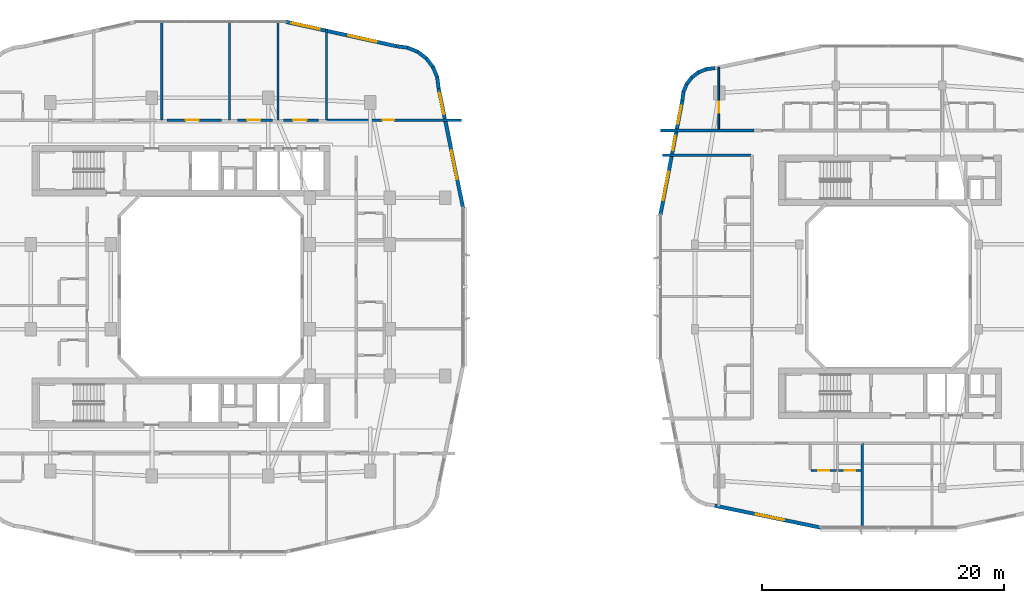
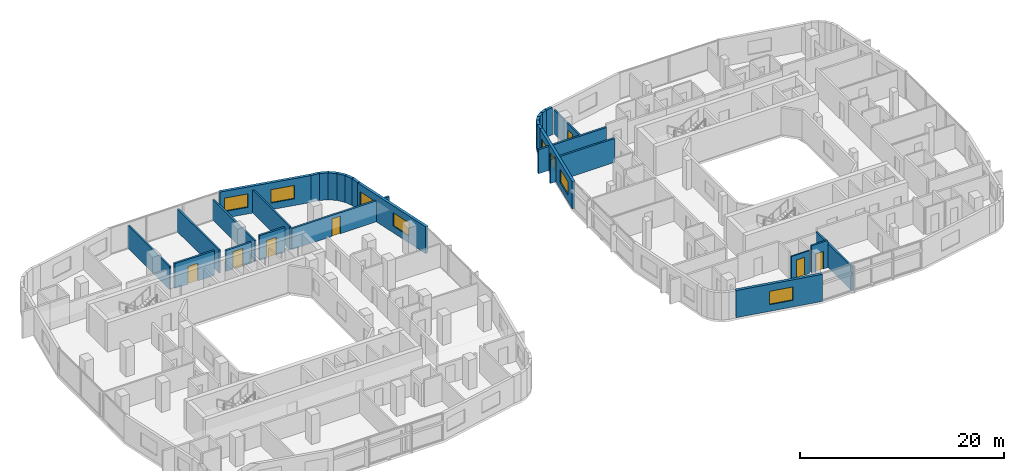
# One storey, part 17 of 27: 30 walls, 8 windows, 7 doors, 15 openings.
"""IFC4 building model written with IfcOpenShell, lengths in metres."""

from ifc_helpers import new_model, si_unit, derived_unit, direction, frame, frame_2d, origin, place, context, subcontext, project, spatial, rectangle, extrude, material, layer, layer_set, type_object, element, fill, save


model = new_model("IFC4")

# Units and contexts
model_context = context("Model", 3, precision=1e-05, world=origin(), true_north=direction((0.0, 1.0)))
body_context = subcontext(model_context, "Body", "Model", "MODEL_VIEW")
ifc_project = project(units=[si_unit("LENGTHUNIT", "METRE"), si_unit("AREAUNIT", "SQUARE_METRE"), si_unit("VOLUMEUNIT", "CUBIC_METRE"), si_unit("PLANEANGLEUNIT", "RADIAN"), si_unit("MASSUNIT", "GRAM", prefix="KILO"), derived_unit("THERMALTRANSMITTANCEUNIT", [(si_unit("POWERUNIT", "WATT"), 1), (si_unit("LENGTHUNIT", "METRE"), -2), (si_unit("THERMODYNAMICTEMPERATUREUNIT", "KELVIN"), -1)])], contexts=[model_context])

# Site, building, storey
site_placement = place(None, origin())
site = spatial("IfcSite", under=ifc_project, at=site_placement, CompositionType="ELEMENT")
building_placement = place(site_placement, origin())
building = spatial("IfcBuilding", under=site, at=building_placement, Name="Kivonza Crest Hotel", CompositionType="ELEMENT")
storey_placement = place(building_placement, frame((0.0, 0.0, 73.0)))
storey = spatial("IfcBuildingStorey", under=building, at=storey_placement, Name="L19", CompositionType="ELEMENT", Elevation=73.0)

# Walls
ifc_material_1 = material(Name="High-density acoustic masonry inter-tenancy wall", Category="masonry")
ifc_layer_1 = layer(ifc_material_1, 0.179931640625)
ifc_layer_set_1 = layer_set([ifc_layer_1], Name="High-density acoustic masonry inter-tenancy wall")
wall_type_1 = type_object("IfcWallType", Name="WL-ACOU-180", PredefinedType="SOLIDWALL", material=ifc_layer_set_1)
for number, where, z_axis, x_axis, name in (
    (1, (17.0, 38.75, 0.0), (0.0, 0.0, 1.0), (0.0, 1.0, 0.0), "L19 interior partition WA-L19-T1N-SPDIV2"),
    (2, (22.60009765625, 38.75, 0.0), (0.0, 0.0, 1.0), (0.0, 1.0, 0.0), "L19 interior partition WA-L19-T1N-DIV2"),
):
    element("IfcWall", number, at=place(storey_placement, frame(where, z_axis=z_axis, x_axis=x_axis)), inside=storey, type_object=wall_type_1, Name=name, PredefinedType="SOLIDWALL", context=body_context, shape_type="SweptSolid", body=[
        extrude(rectangle(XDim=8.18994140625, YDim=0.179931640625, at=frame_2d((4.094970703125, 0.0))), origin(), (0.0, 0.0, 1.0), 2.7451171875),
    ])
wall_1_placement = place(storey_placement, frame((26.60009765625, 38.75, 0.0), z_axis=(0.0, 0.0, 1.0), x_axis=(0.0, 1.0, 0.0)))
element("IfcWall", 3, at=wall_1_placement, inside=storey, type_object=wall_type_1, Name="L19 interior partition WA-L19-T1N-SPDIV", PredefinedType="SOLIDWALL", context=body_context, shape_type="SweptSolid", body=[
    extrude(rectangle(XDim=8.18994140625, YDim=0.179931640625, at=frame_2d((4.094970703125, 0.0))), origin(), (0.0, 0.0, 1.0), 2.4951171875),
])
wall_2_placement = place(storey_placement, frame((30.60009765625, 38.75, 0.0), z_axis=(0.0, 0.0, 1.0), x_axis=(0.0, 1.0, 0.0)))
element("IfcWall", 4, at=wall_2_placement, inside=storey, type_object=wall_type_1, Name="L19 interior partition WA-L19-T1N-DIV3", PredefinedType="SOLIDWALL", context=body_context, shape_type="SweptSolid", body=[
    extrude(rectangle(XDim=7.467041015625, YDim=0.179931640625, at=frame_2d((3.7333984375, 0.0))), origin(), (0.0, 0.0, 1.0), 2.7451171875),
])
wall_3_placement = place(storey_placement, frame((74.800048828125, 5.06005859375, 0.0), z_axis=(0.0, 0.0, 1.0), x_axis=(0.0, 1.0, 0.0)))
element("IfcWall", 5, at=wall_3_placement, inside=storey, type_object=wall_type_1, Name="L19 interior partition WA-L19-T2S-DIV1", PredefinedType="SOLIDWALL", context=body_context, shape_type="SweptSolid", body=[
    extrude(rectangle(XDim=7.0400390625, YDim=0.179931640625, at=frame_2d((3.52001953125, 0.0))), origin(), (0.0, 0.0, 1.0), 2.864990234375),
])

# Wall, opening, door
ifc_material_2 = material(Name="Autoclaved aerated concrete blockwork", Category="masonry")
ifc_layer_2 = layer(ifc_material_2, 0.219970703125)
ifc_layer_set_2 = layer_set([ifc_layer_2], Name="Autoclaved aerated concrete blockwork")
wall_type_2 = type_object("IfcWallType", Name="WL-ACOU-220", PredefinedType="SOLIDWALL", material=ifc_layer_set_2)
wall_4_placement = place(storey_placement, frame((17.449951171875, 38.75, 0.0), z_axis=(0.0, 0.0, 1.0), x_axis=(1.0, 0.0, 0.0)))
wall_4 = element("IfcWall", 6, at=wall_4_placement, inside=storey, type_object=wall_type_2, Name="L19 interior partition WA-L19-Z1-NB2B-S", PredefinedType="SOLIDWALL", context=body_context, shape_type="SweptSolid", body=[
    extrude(rectangle(XDim=4.5, YDim=0.219970703125, at=frame_2d((2.25, 0.0))), origin(), (0.0, 0.0, 1.0), 2.955078125),
])
opening_1_placement = place(wall_4_placement, frame((1.52001953125, 0.0, 0.0)))
opening_1 = element("IfcOpeningElement", 7, at=opening_1_placement, cuts=wall_4, Name="Opening DF-60M", PredefinedType="OPENING", context=body_context, shape_type="SweptSolid", body=[
    extrude(rectangle(XDim=1.10009765625, YDim=2.10009765625, at=frame_2d((0.550048828125, 1.050048828125))), frame((0.0, 0.1201171875, 0.0), z_axis=(0.0, -1.0, 0.0), x_axis=(1.0, 0.0, 0.0)), (0.0, 0.0, 1.0), 0.239990234375),
])
ifc_material_3 = material(Name="Hardwood timber oak", Category="wood")
door_type_1 = type_object("IfcDoorType", Name="DR-FD60-1100", OperationType="NOTDEFINED", PredefinedType="DOOR", material=ifc_material_3)
door_1_placement = place(opening_1_placement, origin())
door_1 = element("IfcDoor", 8, at=door_1_placement, inside=storey, type_object=door_type_1, Name="L19 Zone 1 North Delegation Office door", OperationType="SINGLE_SWING_LEFT", OverallHeight=2.10009765625, OverallWidth=1.10009765625, PredefinedType="DOOR", context=body_context, shape_type="SweptSolid", body=[
    extrude(rectangle(XDim=1.10009765625, YDim=2.10009765625, at=frame_2d((0.550048828125, 1.050048828125))), frame((0.0, 0.02490234375, 0.0), z_axis=(0.0, -1.0, 0.0), x_axis=(1.0, 0.0, 0.0)), (0.0, 0.0, 1.0), 0.050048828125),
])
fill(opening_1, door_1)

wall_5_placement = place(storey_placement, frame((23.25, 38.75, 0.0), z_axis=(0.0, 0.0, 1.0), x_axis=(1.0, 0.0, 0.0)))
wall_5 = element("IfcWall", 9, at=wall_5_placement, inside=storey, type_object=wall_type_2, Name="L19 interior partition WA-L19-Z1-NBRD1-S", PredefinedType="SOLIDWALL", context=body_context, shape_type="SweptSolid", body=[
    extrude(rectangle(XDim=2.89990234375, YDim=0.219970703125, at=frame_2d((1.449951171875, 0.0))), origin(), (0.0, 0.0, 1.0), 2.4951171875),
])
opening_2_placement = place(wall_5_placement, frame((0.800048828125, 0.0, 0.0)))
opening_2 = element("IfcOpeningElement", 10, at=opening_2_placement, cuts=wall_5, Name="Opening DF-60M", PredefinedType="OPENING", context=body_context, shape_type="SweptSolid", body=[
    extrude(rectangle(XDim=1.10009765625, YDim=2.10009765625, at=frame_2d((0.550048828125, 1.050048828125))), frame((0.0, 0.1201171875, 0.0), z_axis=(0.0, -1.0, 0.0), x_axis=(1.0, 0.0, 0.0)), (0.0, 0.0, 1.0), 0.239990234375),
])
door_2_placement = place(opening_2_placement, origin())
door_2 = element("IfcDoor", 11, at=door_2_placement, inside=storey, type_object=door_type_1, Name="L19 Zone 1 North Executive Office door", OperationType="SINGLE_SWING_RIGHT", OverallHeight=2.10009765625, OverallWidth=1.10009765625, PredefinedType="DOOR", context=body_context, shape_type="SweptSolid", body=[
    extrude(rectangle(XDim=1.10009765625, YDim=2.10009765625, at=frame_2d((0.550048828125, 1.050048828125))), frame((0.0, 0.02490234375, 0.0), z_axis=(0.0, -1.0, 0.0), x_axis=(1.0, 0.0, 0.0)), (0.0, 0.0, 1.0), 0.050048828125),
])
fill(opening_2, door_2)

wall_6_placement = place(storey_placement, frame((27.050048828125, 38.75, 0.0), z_axis=(0.0, 0.0, 1.0), x_axis=(1.0, 0.0, 0.0)))
wall_6 = element("IfcWall", 12, at=wall_6_placement, inside=storey, type_object=wall_type_2, Name="L19 interior partition WA-L19-Z1-NBRD2-S", PredefinedType="SOLIDWALL", context=body_context, shape_type="SweptSolid", body=[
    extrude(rectangle(XDim=2.89990234375, YDim=0.219970703125, at=frame_2d((1.449951171875, 0.0))), origin(), (0.0, 0.0, 1.0), 2.955078125),
])
opening_3_placement = place(wall_6_placement, frame((0.800048828125, 0.0, 0.0)))
opening_3 = element("IfcOpeningElement", 13, at=opening_3_placement, cuts=wall_6, Name="Opening DF-60M", PredefinedType="OPENING", context=body_context, shape_type="SweptSolid", body=[
    extrude(rectangle(XDim=1.10009765625, YDim=2.10009765625, at=frame_2d((0.550048828125, 1.050048828125))), frame((0.0, 0.1201171875, 0.0), z_axis=(0.0, -1.0, 0.0), x_axis=(1.0, 0.0, 0.0)), (0.0, 0.0, 1.0), 0.239990234375),
])
door_3_placement = place(opening_3_placement, origin())
door_3 = element("IfcDoor", 14, at=door_3_placement, inside=storey, type_object=door_type_1, Name="L19 Zone 1 North Delegation Office door", OperationType="SINGLE_SWING_LEFT", OverallHeight=2.10009765625, OverallWidth=1.10009765625, PredefinedType="DOOR", context=body_context, shape_type="SweptSolid", body=[
    extrude(rectangle(XDim=1.10009765625, YDim=2.10009765625, at=frame_2d((0.550048828125, 1.050048828125))), frame((0.0, 0.02490234375, 0.0), z_axis=(0.0, -1.0, 0.0), x_axis=(1.0, 0.0, 0.0)), (0.0, 0.0, 1.0), 0.050048828125),
])
fill(opening_3, door_3)

wall_7_placement = place(storey_placement, frame((30.699951171875, 38.75, 0.0), z_axis=(0.0, 0.0, 1.0), x_axis=(1.0, 0.0, 0.0)))
wall_7 = element("IfcWall", 15, at=wall_7_placement, inside=storey, type_object=wall_type_2, Name="L19 interior partition WA-L19-N-AMEN-S", PredefinedType="SOLIDWALL", context=body_context, shape_type="SweptSolid", body=[
    extrude(rectangle(XDim=11.0400390625, YDim=0.219970703125, at=frame_2d((5.52001953125, 0.0))), origin(), (0.0, 0.0, 1.0), 2.4951171875),
])
opening_4_placement = place(wall_7_placement, frame((4.531005859375, 0.0, 0.0)))
opening_4 = element("IfcOpeningElement", 16, at=opening_4_placement, cuts=wall_7, Name="Opening DF-60S", PredefinedType="OPENING", context=body_context, shape_type="SweptSolid", body=[
    extrude(rectangle(XDim=0.949951171875, YDim=2.10009765625, at=frame_2d((0.47509765625, 1.050048828125))), frame((0.0, 0.1201171875, 0.0), z_axis=(0.0, -1.0, 0.0), x_axis=(1.0, 0.0, 0.0)), (0.0, 0.0, 1.0), 0.239990234375),
])
door_type_2 = type_object("IfcDoorType", Name="DR-FD60-950", OperationType="NOTDEFINED", PredefinedType="DOOR", material=ifc_material_3)
door_4_placement = place(opening_4_placement, origin())
door_4 = element("IfcDoor", 17, at=door_4_placement, inside=storey, type_object=door_type_2, Name="L19 Guest Business Office door", OperationType="SINGLE_SWING_LEFT", OverallHeight=2.10009765625, OverallWidth=0.949951171875, PredefinedType="DOOR", context=body_context, shape_type="SweptSolid", body=[
    extrude(rectangle(XDim=0.949951171875, YDim=2.10009765625, at=frame_2d((0.47509765625, 1.050048828125))), frame((0.0, 0.02490234375, 0.0), z_axis=(0.0, -1.0, 0.0), x_axis=(1.0, 0.0, 0.0)), (0.0, 0.0, 1.0), 0.050048828125),
])
fill(opening_4, door_4)

# Walls
wall_8_placement = place(storey_placement, frame((58.159912109375, 37.89990234375, 0.0), z_axis=(0.0, 0.0, 1.0), x_axis=(1.0, 0.0, 0.0)))
element("IfcWall", 18, at=wall_8_placement, inside=storey, type_object=wall_type_2, Name="L19 interior partition WA-L19-A01-LCORR", PredefinedType="SOLIDWALL", context=body_context, shape_type="SweptSolid", body=[
    extrude(rectangle(XDim=7.690185546875, YDim=0.219970703125, at=frame_2d((3.84521484375, 0.0))), origin(), (0.0, 0.0, 1.0), 2.864990234375),
])
wall_9_placement = place(storey_placement, frame((58.320068359375, 35.860107421875, 0.0), z_axis=(0.0, 0.0, 1.0), x_axis=(1.0, 0.0, 0.0)))
element("IfcWall", 19, at=wall_9_placement, inside=storey, type_object=wall_type_2, Name="L19 interior partition WA-L19-T2W-ENDN", PredefinedType="SOLIDWALL", context=body_context, shape_type="SweptSolid", body=[
    extrude(rectangle(XDim=7.280029296875, YDim=0.219970703125, at=frame_2d((3.64013671875, 0.0))), origin(), (0.0, 0.0, 1.0), 2.864990234375),
])

# Wall, openings, windows
ifc_material_4 = material(Name="Precast concrete C40/50", Category="concrete")
ifc_layer_3 = layer(ifc_material_4, 0.300048828125)
ifc_layer_set_3 = layer_set([ifc_layer_3], Name="Precast concrete C40/50")
wall_type_3 = type_object("IfcWallType", Name="WL-EXT-300", PredefinedType="STANDARD", material=ifc_layer_set_3)
wall_10_placement = place(storey_placement, frame((41.864013671875, 31.51611328125, 0.0), z_axis=(0.0, 0.0, 1.0), x_axis=(-0.199990901713, 0.979797754249, 0.0)))
wall_10 = element("IfcWall", 20, at=wall_10_placement, inside=storey, type_object=wall_type_3, Name="L19 T1 exterior insulated wall 18", PredefinedType="STANDARD", context=body_context, shape_type="SweptSolid", body=[
    extrude(rectangle(XDim=10.065185546875, YDim=0.300048828125, at=frame_2d((5.03271484375, 0.0))), origin(), (0.0, 0.0, 1.0), 3.219970703125),
])
opening_5_placement = place(wall_10_placement, frame((2.428955078125, 0.0, 0.800048828125)))
opening_5 = element("IfcOpeningElement", 21, at=opening_5_placement, cuts=wall_10, Name="Opening WN-05", PredefinedType="OPENING", context=body_context, shape_type="SweptSolid", body=[
    extrude(rectangle(XDim=2.39990234375, YDim=1.60009765625, at=frame_2d((1.199951171875, 0.800048828125))), frame((0.0, 0.16015625, 0.0), z_axis=(0.0, -1.0, 0.0), x_axis=(1.0, 0.0, 0.0)), (0.0, 0.0, 1.0), 0.320068359375),
])
opening_6_placement = place(wall_10_placement, frame((7.886962890625, 0.0, 0.85009765625)))
opening_6 = element("IfcOpeningElement", 22, at=opening_6_placement, cuts=wall_10, Name="Opening WN-03", PredefinedType="OPENING", context=body_context, shape_type="SweptSolid", body=[
    extrude(rectangle(XDim=1.800048828125, YDim=1.5, at=frame_2d((0.89990234375, 0.75))), frame((0.0, 0.16015625, 0.0), z_axis=(0.0, -1.0, 0.0), x_axis=(1.0, 0.0, 0.0)), (0.0, 0.0, 1.0), 0.320068359375),
])
ifc_material_5 = material(Name="Thermally broken bronze aluminium and low-E double glazing", Category="aluminium")
window_type_1 = type_object("IfcWindowType", Name="WN-180x150", PartitioningType="DOUBLE_PANEL_VERTICAL", PredefinedType="WINDOW", material=ifc_material_5)
window_1_placement = place(opening_6_placement, origin())
window_1 = element("IfcWindow", 23, at=window_1_placement, inside=storey, type_object=window_type_1, Name="L19 T1 facade window 18 bay 2", OverallHeight=1.5, OverallWidth=1.800048828125, PartitioningType="SINGLE_PANEL", PredefinedType="WINDOW", context=body_context, shape_type="SweptSolid", body=[
    extrude(rectangle(XDim=1.800048828125, YDim=1.5, at=frame_2d((0.89990234375, 0.75))), frame((0.0, 0.030029296875, 0.0), z_axis=(0.0, -1.0, 0.0), x_axis=(1.0, 0.0, 0.0)), (0.0, 0.0, 1.0), 0.06005859375),
])
fill(opening_6, window_1)
window_type_2 = type_object("IfcWindowType", Name="WN-240x160", PartitioningType="TRIPLE_PANEL_VERTICAL", PredefinedType="WINDOW", material=ifc_material_5)
window_2_placement = place(opening_5_placement, origin())
window_2 = element("IfcWindow", 24, at=window_2_placement, inside=storey, type_object=window_type_2, Name="L19 T1 facade window 18 bay 1", OverallHeight=1.60009765625, OverallWidth=2.39990234375, PartitioningType="SINGLE_PANEL", PredefinedType="WINDOW", context=body_context, shape_type="SweptSolid", body=[
    extrude(rectangle(XDim=2.39990234375, YDim=1.60009765625, at=frame_2d((1.199951171875, 0.800048828125))), frame((0.0, 0.030029296875, 0.0), z_axis=(0.0, -1.0, 0.0), x_axis=(1.0, 0.0, 0.0)), (0.0, 0.0, 1.0), 0.06005859375),
])
fill(opening_5, window_2)

# Walls
wall_11_placement = place(storey_placement, frame((39.85205078125, 41.3720703125, 0.0), z_axis=(0.0, 0.0, 1.0), x_axis=(-0.131174864804, 0.991359246108, 0.0)))
element("IfcWall", 25, at=wall_11_placement, inside=storey, type_object=wall_type_3, Name="L19 T1 exterior insulated wall 19", PredefinedType="STANDARD", context=body_context, shape_type="SweptSolid", body=[
    extrude(rectangle(XDim=0.93798828125, YDim=0.300048828125, at=frame_2d((0.468994140625, 0.0))), origin(), (0.0, 0.0, 1.0), 3.219970703125),
])
wall_12_placement = place(storey_placement, frame((39.748046875, 42.251953125, 0.0), z_axis=(0.0, 0.0, 1.0), x_axis=(-0.382344263057, 0.924019948111, 0.0)))
element("IfcWall", 26, at=wall_12_placement, inside=storey, type_object=wall_type_3, Name="L19 T1 exterior insulated wall 20", PredefinedType="STANDARD", context=body_context, shape_type="SweptSolid", body=[
    extrude(rectangle(XDim=0.95458984375, YDim=0.300048828125, at=frame_2d((0.477294921875, 0.0))), origin(), (0.0, 0.0, 1.0), 3.219970703125),
])
wall_13_placement = place(storey_placement, frame((39.4140625, 43.089111328125, 0.0), z_axis=(0.0, 0.0, 1.0), x_axis=(-0.608474481025, 0.793573440799, 0.0)))
element("IfcWall", 27, at=wall_13_placement, inside=storey, type_object=wall_type_3, Name="L19 T1 exterior insulated wall 21", PredefinedType="STANDARD", context=body_context, shape_type="SweptSolid", body=[
    extrude(rectangle(XDim=0.954833984375, YDim=0.300048828125, at=frame_2d((0.4775390625, 0.0))), origin(), (0.0, 0.0, 1.0), 3.219970703125),
])
wall_14_placement = place(storey_placement, frame((38.875, 43.81201171875, 0.0), z_axis=(0.0, 0.0, 1.0), x_axis=(-0.793668068435, 0.608351047625, 0.0)))
element("IfcWall", 28, at=wall_14_placement, inside=storey, type_object=wall_type_3, Name="L19 T1 exterior insulated wall 22", PredefinedType="STANDARD", context=body_context, shape_type="SweptSolid", body=[
    extrude(rectangle(XDim=0.955078125, YDim=0.300048828125, at=frame_2d((0.4775390625, 0.0))), origin(), (0.0, 0.0, 1.0), 3.219970703125),
])
wall_15_placement = place(storey_placement, frame((38.166015625, 44.368896484375, 0.0), z_axis=(0.0, 0.0, 1.0), x_axis=(-0.924019948111, 0.382344263057, 0.0)))
element("IfcWall", 29, at=wall_15_placement, inside=storey, type_object=wall_type_3, Name="L19 T1 exterior insulated wall 23", PredefinedType="STANDARD", context=body_context, shape_type="SweptSolid", body=[
    extrude(rectangle(XDim=0.95458984375, YDim=0.300048828125, at=frame_2d((0.477294921875, 0.0))), origin(), (0.0, 0.0, 1.0), 3.219970703125),
])
wall_16_placement = place(storey_placement, frame((37.3369140625, 44.72509765625, 0.0), z_axis=(0.0, 0.0, 1.0), x_axis=(-0.991454295543, 0.130454512571, 0.0)))
element("IfcWall", 30, at=wall_16_placement, inside=storey, type_object=wall_type_3, Name="L19 T1 exterior insulated wall 24", PredefinedType="STANDARD", context=body_context, shape_type="SweptSolid", body=[
    extrude(rectangle(XDim=0.97314453125, YDim=0.300048828125, at=frame_2d((0.486572265625, 0.0))), origin(), (0.0, 0.0, 1.0), 3.219970703125),
])

# Wall, openings, windows
wall_17_placement = place(storey_placement, frame((36.3759765625, 44.85205078125, 0.0), z_axis=(0.0, 0.0, 1.0), x_axis=(-0.97654500432, 0.215313386808, 0.0)))
wall_17 = element("IfcWall", 31, at=wall_17_placement, inside=storey, type_object=wall_type_3, Name="L19 T1 exterior insulated wall 25", PredefinedType="STANDARD", context=body_context, shape_type="SweptSolid", body=[
    extrude(rectangle(XDim=9.353515625, YDim=0.300048828125, at=frame_2d((4.6767578125, 0.0))), origin(), (0.0, 0.0, 1.0), 3.219970703125),
])
opening_7_placement = place(wall_17_placement, frame((1.69189453125, 0.0, 0.800048828125)))
opening_7 = element("IfcOpeningElement", 32, at=opening_7_placement, cuts=wall_17, Name="Opening WN-05", PredefinedType="OPENING", context=body_context, shape_type="SweptSolid", body=[
    extrude(rectangle(XDim=2.39990234375, YDim=1.60009765625, at=frame_2d((1.199951171875, 0.800048828125))), frame((0.0, 0.16015625, 0.0), z_axis=(0.0, -1.0, 0.0), x_axis=(1.0, 0.0, 0.0)), (0.0, 0.0, 1.0), 0.320068359375),
])
opening_8_placement = place(wall_17_placement, frame((6.47412109375, 0.0, 0.800048828125)))
opening_8 = element("IfcOpeningElement", 33, at=opening_8_placement, cuts=wall_17, Name="Opening WN-05", PredefinedType="OPENING", context=body_context, shape_type="SweptSolid", body=[
    extrude(rectangle(XDim=2.39990234375, YDim=1.60009765625, at=frame_2d((1.199951171875, 0.800048828125))), frame((0.0, 0.16015625, 0.0), z_axis=(0.0, -1.0, 0.0), x_axis=(1.0, 0.0, 0.0)), (0.0, 0.0, 1.0), 0.320068359375),
])
window_3_placement = place(opening_7_placement, origin())
window_3 = element("IfcWindow", 34, at=window_3_placement, inside=storey, type_object=window_type_2, Name="L19 T1 facade window 25 bay 1", OverallHeight=1.60009765625, OverallWidth=2.39990234375, PartitioningType="SINGLE_PANEL", PredefinedType="WINDOW", context=body_context, shape_type="SweptSolid", body=[
    extrude(rectangle(XDim=2.39990234375, YDim=1.60009765625, at=frame_2d((1.199951171875, 0.800048828125))), frame((0.0, 0.030029296875, 0.0), z_axis=(0.0, -1.0, 0.0), x_axis=(1.0, 0.0, 0.0)), (0.0, 0.0, 1.0), 0.06005859375),
])
fill(opening_7, window_3)
window_4_placement = place(opening_8_placement, origin())
window_4 = element("IfcWindow", 35, at=window_4_placement, inside=storey, type_object=window_type_2, Name="L19 T1 facade window 25 bay 2", OverallHeight=1.60009765625, OverallWidth=2.39990234375, PartitioningType="SINGLE_PANEL", PredefinedType="WINDOW", context=body_context, shape_type="SweptSolid", body=[
    extrude(rectangle(XDim=2.39990234375, YDim=1.60009765625, at=frame_2d((1.199951171875, 0.800048828125))), frame((0.0, 0.030029296875, 0.0), z_axis=(0.0, -1.0, 0.0), x_axis=(1.0, 0.0, 0.0)), (0.0, 0.0, 1.0), 0.06005859375),
])
fill(opening_8, window_4)

# Wall, opening, window
wall_18_placement = place(storey_placement, frame((62.6220703125, 6.948974609375, 0.0), z_axis=(0.0, 0.0, 1.0), x_axis=(0.979127260729, -0.203248142175, 0.0)))
wall_18 = element("IfcWall", 36, at=wall_18_placement, inside=storey, type_object=wall_type_3, Name="L19 T2 exterior insulated wall 7", PredefinedType="STANDARD", context=body_context, shape_type="SweptSolid", body=[
    extrude(rectangle(XDim=8.920166015625, YDim=0.300048828125, at=frame_2d((4.4599609375, 0.0))), origin(), (0.0, 0.0, 1.0), 3.25),
])
opening_9_placement = place(wall_18_placement, frame((3.471923828125, 0.0, 0.800048828125)))
opening_9 = element("IfcOpeningElement", 37, at=opening_9_placement, cuts=wall_18, Name="Opening WN-05", PredefinedType="OPENING", context=body_context, shape_type="SweptSolid", body=[
    extrude(rectangle(XDim=2.39990234375, YDim=1.60009765625, at=frame_2d((1.199951171875, 0.800048828125))), frame((0.0, 0.16015625, 0.0), z_axis=(0.0, -1.0, 0.0), x_axis=(1.0, 0.0, 0.0)), (0.0, 0.0, 1.0), 0.320068359375),
])
window_5_placement = place(opening_9_placement, origin())
window_5 = element("IfcWindow", 38, at=window_5_placement, inside=storey, type_object=window_type_2, Name="L19 T2 facade window 7", OverallHeight=1.60009765625, OverallWidth=2.39990234375, PartitioningType="SINGLE_PANEL", PredefinedType="WINDOW", context=body_context, shape_type="SweptSolid", body=[
    extrude(rectangle(XDim=2.39990234375, YDim=1.60009765625, at=frame_2d((1.199951171875, 0.800048828125))), frame((0.0, 0.030029296875, 0.0), z_axis=(0.0, -1.0, 0.0), x_axis=(1.0, 0.0, 0.0)), (0.0, 0.0, 1.0), 0.06005859375),
])
fill(opening_9, window_5)

# Walls
wall_19_placement = place(storey_placement, frame((62.626953125, 43.052001953125, 0.0), z_axis=(0.0, 0.0, 1.0), x_axis=(-0.991480488834, -0.130255288807, 0.0)))
element("IfcWall", 39, at=wall_19_placement, inside=storey, type_object=wall_type_3, Name="L19 T2 exterior insulated wall 28", PredefinedType="STANDARD", context=body_context, shape_type="SweptSolid", body=[
    extrude(rectangle(XDim=0.72900390625, YDim=0.300048828125, at=frame_2d((0.364501953125, 0.0))), origin(), (0.0, 0.0, 1.0), 3.25),
])
for number, where, z_axis, x_axis, name in (
    (40, (61.955078125, 42.97607421875, 0.0), (0.0, 0.0, 1.0), (-0.923521684703, -0.383546213491, 0.0), "L19 T2 exterior insulated wall 29"),
    (41, (61.31103515625, 42.720947265625, 0.0), (0.0, 0.0, 1.0), (-0.79363269798, -0.608397189915, 0.0), "L19 T2 exterior insulated wall 30"),
    (42, (60.75390625, 42.30908203125, 0.0), (0.0, 0.0, 1.0), (-0.608397189915, -0.79363269798, 0.0), "L19 T2 exterior insulated wall 31"),
    (43, (60.323974609375, 41.76611328125, 0.0), (0.0, 0.0, 1.0), (-0.383151213466, -0.923685632463, 0.0), "L19 T2 exterior insulated wall 32"),
):
    element("IfcWall", number, at=place(storey_placement, frame(where, z_axis=z_axis, x_axis=x_axis)), inside=storey, type_object=wall_type_3, Name=name, PredefinedType="STANDARD", context=body_context, shape_type="SweptSolid", body=[
        extrude(rectangle(XDim=0.74609375, YDim=0.300048828125, at=frame_2d((0.373046875, 0.0))), origin(), (0.0, 0.0, 1.0), 3.25),
    ])
wall_20_placement = place(storey_placement, frame((60.047119140625, 41.131103515625, 0.0), z_axis=(0.0, 0.0, 1.0), x_axis=(-0.129653178221, -0.991559404866, 0.0)))
element("IfcWall", 44, at=wall_20_placement, inside=storey, type_object=wall_type_3, Name="L19 T2 exterior insulated wall 33", PredefinedType="STANDARD", context=body_context, shape_type="SweptSolid", body=[
    extrude(rectangle(XDim=0.764404296875, YDim=0.300048828125, at=frame_2d((0.38232421875, 0.0))), origin(), (0.0, 0.0, 1.0), 3.25),
])

# Wall, openings, windows
wall_21_placement = place(storey_placement, frame((59.948974609375, 40.3798828125, 0.0), z_axis=(0.0, 0.0, 1.0), x_axis=(-0.188087874316, -0.982152203854, 0.0)))
wall_21 = element("IfcWall", 45, at=wall_21_placement, inside=storey, type_object=wall_type_3, Name="L19 T2 exterior insulated wall 34", PredefinedType="STANDARD", context=body_context, shape_type="SweptSolid", body=[
    extrude(rectangle(XDim=9.6337890625, YDim=0.300048828125, at=frame_2d((4.81689453125, 0.0))), origin(), (0.0, 0.0, 1.0), 3.25),
])
opening_10_placement = place(wall_21_placement, frame((0.451904296875, 0.0, 0.85009765625)))
opening_10 = element("IfcOpeningElement", 46, at=opening_10_placement, cuts=wall_21, Name="Opening WN-02", PredefinedType="OPENING", context=body_context, shape_type="SweptSolid", body=[
    extrude(rectangle(XDim=1.5, YDim=1.5, at=frame_2d((0.75, 0.75))), frame((0.0, 0.16015625, 0.0), z_axis=(0.0, -1.0, 0.0), x_axis=(1.0, 0.0, 0.0)), (0.0, 0.0, 1.0), 0.320068359375),
])
opening_11_placement = place(wall_21_placement, frame((2.964111328125, 0.0, 0.85009765625)))
opening_11 = element("IfcOpeningElement", 47, at=opening_11_placement, cuts=wall_21, Name="Opening WN-01", PredefinedType="OPENING", context=body_context, shape_type="SweptSolid", body=[
    extrude(rectangle(XDim=1.199951171875, YDim=1.5, at=frame_2d((0.60009765625, 0.75))), frame((0.0, 0.16015625, 0.0), z_axis=(0.0, -1.0, 0.0), x_axis=(1.0, 0.0, 0.0)), (0.0, 0.0, 1.0), 0.320068359375),
])
opening_12_placement = place(wall_21_placement, frame((5.97900390625, 0.0, 0.800048828125)))
opening_12 = element("IfcOpeningElement", 48, at=opening_12_placement, cuts=wall_21, Name="Opening WN-05", PredefinedType="OPENING", context=body_context, shape_type="SweptSolid", body=[
    extrude(rectangle(XDim=2.39990234375, YDim=1.60009765625, at=frame_2d((1.199951171875, 0.800048828125))), frame((0.0, 0.16015625, 0.0), z_axis=(0.0, -1.0, 0.0), x_axis=(1.0, 0.0, 0.0)), (0.0, 0.0, 1.0), 0.320068359375),
])
window_type_3 = type_object("IfcWindowType", Name="WN-120x150", PartitioningType="SINGLE_PANEL", PredefinedType="WINDOW", material=ifc_material_5)
window_6_placement = place(opening_11_placement, origin())
window_6 = element("IfcWindow", 49, at=window_6_placement, inside=storey, type_object=window_type_3, Name="L19 T2 facade window 34 bay 2", OverallHeight=1.5, OverallWidth=1.199951171875, PartitioningType="SINGLE_PANEL", PredefinedType="WINDOW", context=body_context, shape_type="SweptSolid", body=[
    extrude(rectangle(XDim=1.199951171875, YDim=1.5, at=frame_2d((0.60009765625, 0.75))), frame((0.0, 0.030029296875, 0.0), z_axis=(0.0, -1.0, 0.0), x_axis=(1.0, 0.0, 0.0)), (0.0, 0.0, 1.0), 0.06005859375),
])
fill(opening_11, window_6)
window_type_4 = type_object("IfcWindowType", Name="WN-150x150", PartitioningType="DOUBLE_PANEL_VERTICAL", PredefinedType="WINDOW", material=ifc_material_5)
window_7_placement = place(opening_10_placement, origin())
window_7 = element("IfcWindow", 50, at=window_7_placement, inside=storey, type_object=window_type_4, Name="L19 T2 facade window 34 bay 1", OverallHeight=1.5, OverallWidth=1.5, PartitioningType="SINGLE_PANEL", PredefinedType="WINDOW", context=body_context, shape_type="SweptSolid", body=[
    extrude(rectangle(XDim=1.5, YDim=1.5, at=frame_2d((0.75, 0.75))), frame((0.0, 0.030029296875, 0.0), z_axis=(0.0, -1.0, 0.0), x_axis=(1.0, 0.0, 0.0)), (0.0, 0.0, 1.0), 0.06005859375),
])
fill(opening_10, window_7)
window_8_placement = place(opening_12_placement, origin())
window_8 = element("IfcWindow", 51, at=window_8_placement, inside=storey, type_object=window_type_2, Name="L19 T2 facade window 34 bay 3", OverallHeight=1.60009765625, OverallWidth=2.39990234375, PartitioningType="SINGLE_PANEL", PredefinedType="WINDOW", context=body_context, shape_type="SweptSolid", body=[
    extrude(rectangle(XDim=2.39990234375, YDim=1.60009765625, at=frame_2d((1.199951171875, 0.800048828125))), frame((0.0, 0.030029296875, 0.0), z_axis=(0.0, -1.0, 0.0), x_axis=(1.0, 0.0, 0.0)), (0.0, 0.0, 1.0), 0.06005859375),
])
fill(opening_12, window_8)

# Wall, opening, door
ifc_material_6 = material(Name="Twin-stud acoustic gypsum board partition", Category="gypsum")
ifc_layer_4 = layer(ifc_material_6, 0.14990234375)
ifc_layer_set_4 = layer_set([ifc_layer_4], Name="Twin-stud acoustic gypsum board partition")
wall_type_4 = type_object("IfcWallType", Name="WL-PART-150", PredefinedType="PARTITIONING", material=ifc_layer_set_4)
wall_22_placement = place(storey_placement, frame((62.9599609375, 38.0, 0.0), z_axis=(0.0, 0.0, 1.0), x_axis=(0.0, 1.0, 0.0)))
wall_22 = element("IfcWall", 52, at=wall_22_placement, inside=storey, type_object=wall_type_4, Name="L19 interior partition WP-L19-A01-BDW1", PredefinedType="PARTITIONING", context=body_context, shape_type="SweptSolid", body=[
    extrude(rectangle(XDim=5.113037109375, YDim=0.14990234375, at=frame_2d((2.556640625, 0.0))), origin(), (0.0, 0.0, 1.0), 2.864990234375),
])
opening_13_placement = place(wall_22_placement, frame((1.3798828125, 0.0, 0.0)))
opening_13 = element("IfcOpeningElement", 53, at=opening_13_placement, cuts=wall_22, Name="Opening DI-90", PredefinedType="OPENING", context=body_context, shape_type="SweptSolid", body=[
    extrude(rectangle(XDim=0.89990234375, YDim=2.10009765625, at=frame_2d((0.449951171875, 1.050048828125))), frame((0.0, 0.0849609375, 0.0), z_axis=(0.0, -1.0, 0.0), x_axis=(1.0, 0.0, 0.0)), (0.0, 0.0, 1.0), 0.169921875),
])
door_type_3 = type_object("IfcDoorType", Name="DR-INT-900", OperationType="NOTDEFINED", PredefinedType="DOOR", material=ifc_material_3)
door_5_placement = place(opening_13_placement, origin())
door_5 = element("IfcDoor", 54, at=door_5_placement, inside=storey, type_object=door_type_3, Name="L19 A01 bedroom 1 door", OperationType="SINGLE_SWING_RIGHT", OverallHeight=2.10009765625, OverallWidth=0.89990234375, PredefinedType="DOOR", context=body_context, shape_type="SweptSolid", body=[
    extrude(rectangle(XDim=0.89990234375, YDim=2.10009765625, at=frame_2d((0.449951171875, 1.050048828125))), frame((0.0, 0.02490234375, 0.0), z_axis=(0.0, -1.0, 0.0), x_axis=(1.0, 0.0, 0.0)), (0.0, 0.0, 1.0), 0.050048828125),
])
fill(opening_13, door_5)

wall_23_placement = place(storey_placement, frame((70.60009765625, 9.85009765625, 0.0), z_axis=(0.0, 0.0, 1.0), x_axis=(1.0, 0.0, 0.0)))
wall_23 = element("IfcWall", 55, at=wall_23_placement, inside=storey, type_object=wall_type_4, Name="L19 interior partition WP-L19-A04-KSVC", PredefinedType="PARTITIONING", context=body_context, shape_type="SweptSolid", body=[
    extrude(rectangle(XDim=2.0498046875, YDim=0.14990234375, at=frame_2d((1.02490234375, 0.0))), origin(), (0.0, 0.0, 1.0), 2.72509765625),
])
opening_14_placement = place(wall_23_placement, frame((0.574951171875, 0.0, 0.0)))
opening_14 = element("IfcOpeningElement", 56, at=opening_14_placement, cuts=wall_23, Name="Opening DI-90", PredefinedType="OPENING", context=body_context, shape_type="SweptSolid", body=[
    extrude(rectangle(XDim=0.89990234375, YDim=2.10009765625, at=frame_2d((0.449951171875, 1.050048828125))), frame((0.0, 0.0849609375, 0.0), z_axis=(0.0, -1.0, 0.0), x_axis=(1.0, 0.0, 0.0)), (0.0, 0.0, 1.0), 0.169921875),
])
door_6_placement = place(opening_14_placement, frame((0.89990234375, 0.0, 0.0), z_axis=(0.0, 0.0, 1.0), x_axis=(-1.0, 0.0, 0.0)))
door_6 = element("IfcDoor", 57, at=door_6_placement, inside=storey, type_object=door_type_3, Name="L19 A04 apartment kitchen door", OperationType="SINGLE_SWING_RIGHT", OverallHeight=2.10009765625, OverallWidth=0.89990234375, PredefinedType="DOOR", context=body_context, shape_type="SweptSolid", body=[
    extrude(rectangle(XDim=0.89990234375, YDim=2.10009765625, at=frame_2d((0.449951171875, 1.050048828125))), frame((0.0, 0.02490234375, 0.0), z_axis=(0.0, -1.0, 0.0), x_axis=(1.0, 0.0, 0.0)), (0.0, 0.0, 1.0), 0.050048828125),
])
fill(opening_14, door_6)

ifc_material_7 = material(Name="Moisture-resistant plumbing chase partition wall", Category="gypsum")
ifc_layer_5 = layer(ifc_material_7, 0.199951171875)
ifc_layer_set_5 = layer_set([ifc_layer_5], Name="Moisture-resistant plumbing chase partition wall")
wall_type_5 = type_object("IfcWallType", Name="WL-PLUMB-200", PredefinedType="PLUMBINGWALL", material=ifc_layer_set_5)
wall_24_placement = place(storey_placement, frame((72.85009765625, 9.85009765625, 0.0), z_axis=(0.0, 0.0, 1.0), x_axis=(1.0, 0.0, 0.0)))
wall_24 = element("IfcWall", 58, at=wall_24_placement, inside=storey, type_object=wall_type_5, Name="L19 interior partition WW-L19-A04-BSVC", PredefinedType="PLUMBINGWALL", context=body_context, shape_type="SweptSolid", body=[
    extrude(rectangle(XDim=1.849853515625, YDim=0.199951171875, at=frame_2d((0.9248046875, 0.0))), origin(), (0.0, 0.0, 1.0), 3.219970703125),
])
opening_15_placement = place(wall_24_placement, frame((0.5, 0.0, 0.0)))
opening_15 = element("IfcOpeningElement", 59, at=opening_15_placement, cuts=wall_24, Name="Opening DI-85", PredefinedType="OPENING", context=body_context, shape_type="SweptSolid", body=[
    extrude(rectangle(XDim=0.85009765625, YDim=2.10009765625, at=frame_2d((0.425048828125, 1.050048828125))), frame((0.0, 0.10986328125, 0.0), z_axis=(0.0, -1.0, 0.0), x_axis=(1.0, 0.0, 0.0)), (0.0, 0.0, 1.0), 0.219970703125),
])
door_type_4 = type_object("IfcDoorType", Name="DR-INT-850", OperationType="NOTDEFINED", PredefinedType="DOOR", material=ifc_material_3)
door_7_placement = place(opening_15_placement, frame((0.85009765625, 0.0, 0.0), z_axis=(0.0, 0.0, 1.0), x_axis=(-1.0, 0.0, 0.0)))
door_7 = element("IfcDoor", 60, at=door_7_placement, inside=storey, type_object=door_type_4, Name="L19 A04 apartment bathroom door", OperationType="SINGLE_SWING_LEFT", OverallHeight=2.10009765625, OverallWidth=0.85009765625, PredefinedType="DOOR", context=body_context, shape_type="SweptSolid", body=[
    extrude(rectangle(XDim=0.85009765625, YDim=2.10009765625, at=frame_2d((0.425048828125, 1.050048828125))), frame((0.0, 0.02490234375, 0.0), z_axis=(0.0, -1.0, 0.0), x_axis=(1.0, 0.0, 0.0)), (0.0, 0.0, 1.0), 0.050048828125),
])
fill(opening_15, door_7)

save(model, "model.ifc")
